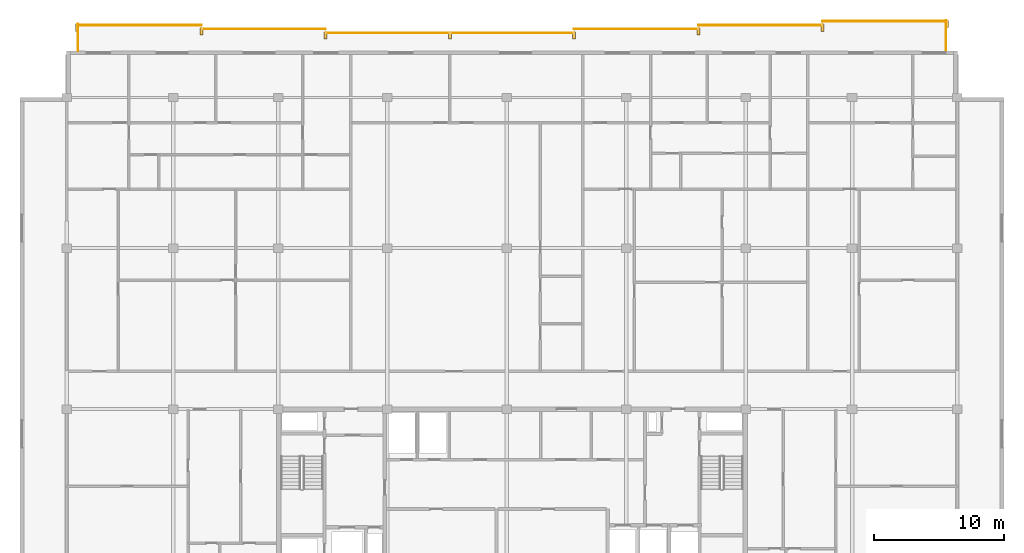
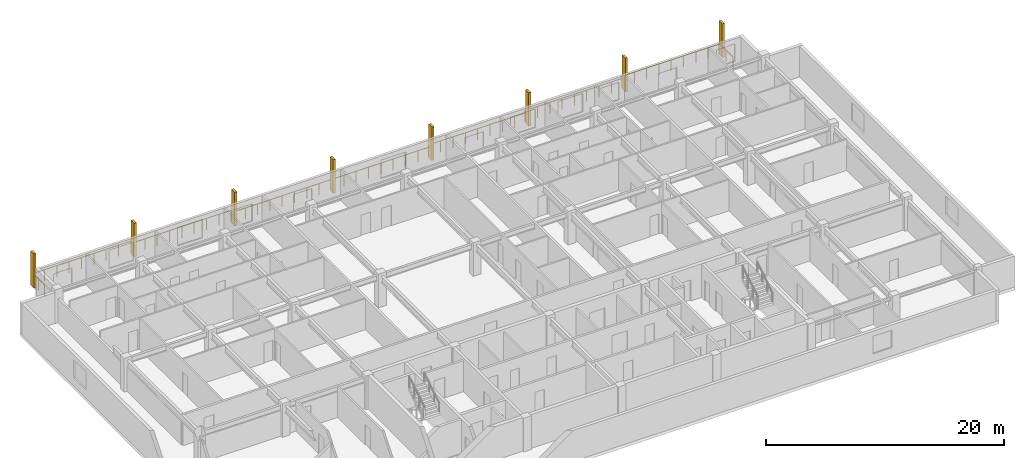
# One storey, part 10 of 10: 8 railings, 8 shading devices.
"""IFC4 building model written with IfcOpenShell, lengths in metres."""

from ifc_helpers import new_model, si_unit, direction, frame, origin, origin_2d, place, context, subcontext, project, spatial, rectangle, circle, extrude, material, type_object, element, save


model = new_model("IFC4")

# Units and contexts
model_context = context("Model", 3, precision=1e-05, world=origin(), true_north=direction((0.0, 1.0)))
body_context = subcontext(model_context, "Body", "Model", "MODEL_VIEW")
ifc_project = project(units=[si_unit("LENGTHUNIT", "METRE"), si_unit("AREAUNIT", "SQUARE_METRE"), si_unit("VOLUMEUNIT", "CUBIC_METRE"), si_unit("PLANEANGLEUNIT", "RADIAN"), si_unit("MASSUNIT", "GRAM", prefix="KILO")], contexts=[model_context])

# Site, building, storey
site_placement = place(None, origin())
site = spatial("IfcSite", under=ifc_project, at=site_placement, CompositionType="ELEMENT")
building_placement = place(site_placement, origin())
building = spatial("IfcBuilding", under=site, at=building_placement, Name="Korimba Cascade Residences", CompositionType="ELEMENT")
storey_placement = place(building_placement, frame((0.0, 0.0, 228.64990234375)))
storey = spatial("IfcBuildingStorey", under=building, at=storey_placement, Name="L66", CompositionType="ELEMENT", Elevation=228.64990234375)

# Railings
ifc_material_1 = material(Name="Laminated Glass and Bronze Balustrade", Category="glass")
railing_type = type_object("IfcRailingType", Name="RLG-LOG-1150", PredefinedType="BALUSTRADE", material=ifc_material_1)
railing_1_placement = place(storey_placement, frame((127.52001953125, 94.800048828125, 0.0)))
element("IfcRailing", 1, at=railing_1_placement, inside=storey, type_object=railing_type, Name="L66 Perimeter Guardrail RLG-L66-T1-LOG-01", PredefinedType="BALUSTRADE", context=body_context, shape_type="SweptSolid", body=[
    extrude(circle(Radius=0.02392578125, at=origin_2d()), frame((0.0, 0.0, 1.1259765625), z_axis=(0.0, 1.0, 0.0), x_axis=(-1.0, 0.0, 0.0)), (0.0, 0.0, 1.0), 2.349853515625),
    extrude(circle(Radius=0.02099609375, at=origin_2d()), origin(), (0.0, 0.0, 1.0), 1.101806640625),
    extrude(circle(Radius=0.02099609375, at=origin_2d()), frame((0.0, 1.1748046875, 0.0)), (0.0, 0.0, 1.0), 1.101806640625),
    extrude(circle(Radius=0.02099609375, at=origin_2d()), frame((0.0, 2.349853515625, 0.0)), (0.0, 0.0, 1.0), 1.101806640625),
])
for number, where, name in (
    (2, (127.60009765625, 97.070068359375, 0.0), "L66 Perimeter Guardrail RLG-L66-T1-LOG-02"),
    (3, (118.028564453125, 96.77001953125, 0.0), "L66 Perimeter Guardrail RLG-L66-T1-LOG-03"),
):
    element("IfcRailing", number, at=place(storey_placement, frame(where)), inside=storey, type_object=railing_type, Name=name, PredefinedType="BALUSTRADE", context=body_context, shape_type="SweptSolid", body=[
        extrude(circle(Radius=0.02392578125, at=origin_2d()), frame((0.0, 0.0, 1.1259765625), z_axis=(-1.0, 0.0, 0.0), x_axis=(0.0, -1.0, 0.0)), (0.0, 0.0, 1.0), 9.571533203125),
        extrude(circle(Radius=0.02099609375, at=origin_2d()), origin(), (0.0, 0.0, 1.0), 1.101806640625),
        extrude(circle(Radius=0.02099609375, at=origin_2d()), frame((-1.196533203125, 0.0, 0.0)), (0.0, 0.0, 1.0), 1.101806640625),
        extrude(circle(Radius=0.02099609375, at=origin_2d()), frame((-2.392822265625, 0.0, 0.0)), (0.0, 0.0, 1.0), 1.101806640625),
        extrude(circle(Radius=0.02099609375, at=origin_2d()), frame((-3.58935546875, 0.0, 0.0)), (0.0, 0.0, 1.0), 1.101806640625),
        extrude(circle(Radius=0.02099609375, at=origin_2d()), frame((-4.78564453125, 0.0, 0.0)), (0.0, 0.0, 1.0), 1.101806640625),
        extrude(circle(Radius=0.02099609375, at=origin_2d()), frame((-5.982177734375, 0.0, 0.0)), (0.0, 0.0, 1.0), 1.101806640625),
        extrude(circle(Radius=0.02099609375, at=origin_2d()), frame((-7.1787109375, 0.0, 0.0)), (0.0, 0.0, 1.0), 1.101806640625),
        extrude(circle(Radius=0.02099609375, at=origin_2d()), frame((-8.375, 0.0, 0.0)), (0.0, 0.0, 1.0), 1.101806640625),
        extrude(circle(Radius=0.02099609375, at=origin_2d()), frame((-9.571533203125, 0.0, 0.0)), (0.0, 0.0, 1.0), 1.101806640625),
    ])
railing_2_placement = place(storey_placement, frame((108.45703125, 96.469970703125, 0.0)))
element("IfcRailing", 4, at=railing_2_placement, inside=storey, type_object=railing_type, Name="L66 Perimeter Guardrail RLG-L66-T1-LOG-04", PredefinedType="BALUSTRADE", context=body_context, shape_type="SweptSolid", body=[
    extrude(circle(Radius=0.02392578125, at=origin_2d()), frame((0.0, 0.0, 1.1259765625), z_axis=(-1.0, 0.0, 0.0), x_axis=(0.0, -1.0, 0.0)), (0.0, 0.0, 1.0), 9.5712890625),
    extrude(circle(Radius=0.02099609375, at=origin_2d()), origin(), (0.0, 0.0, 1.0), 1.101806640625),
    extrude(circle(Radius=0.02099609375, at=origin_2d()), frame((-1.1962890625, 0.0, 0.0)), (0.0, 0.0, 1.0), 1.101806640625),
    extrude(circle(Radius=0.02099609375, at=origin_2d()), frame((-2.392822265625, 0.0, 0.0)), (0.0, 0.0, 1.0), 1.101806640625),
    extrude(circle(Radius=0.02099609375, at=origin_2d()), frame((-3.58935546875, 0.0, 0.0)), (0.0, 0.0, 1.0), 1.101806640625),
    extrude(circle(Radius=0.02099609375, at=origin_2d()), frame((-4.78564453125, 0.0, 0.0)), (0.0, 0.0, 1.0), 1.101806640625),
    extrude(circle(Radius=0.02099609375, at=origin_2d()), frame((-5.98193359375, 0.0, 0.0)), (0.0, 0.0, 1.0), 1.101806640625),
    extrude(circle(Radius=0.02099609375, at=origin_2d()), frame((-7.178466796875, 0.0, 0.0)), (0.0, 0.0, 1.0), 1.101806640625),
    extrude(circle(Radius=0.02099609375, at=origin_2d()), frame((-8.375, 0.0, 0.0)), (0.0, 0.0, 1.0), 1.101806640625),
    extrude(circle(Radius=0.02099609375, at=origin_2d()), frame((-9.5712890625, 0.0, 0.0)), (0.0, 0.0, 1.0), 1.101806640625),
])
railing_3_placement = place(storey_placement, frame((98.8857421875, 96.169921875, 0.0)))
element("IfcRailing", 5, at=railing_3_placement, inside=storey, type_object=railing_type, Name="L66 Perimeter Guardrail RLG-L66-T1-LOG-05", PredefinedType="BALUSTRADE", context=body_context, shape_type="SweptSolid", body=[
    extrude(circle(Radius=0.02392578125, at=origin_2d()), frame((0.0, 0.0, 1.1259765625), z_axis=(-1.0, 0.0, 0.0), x_axis=(0.0, -1.0, 0.0)), (0.0, 0.0, 1.0), 19.142822265625),
    extrude(circle(Radius=0.02099609375, at=origin_2d()), origin(), (0.0, 0.0, 1.0), 1.101806640625),
    extrude(circle(Radius=0.02099609375, at=origin_2d()), frame((-1.196533203125, 0.0, 0.0)), (0.0, 0.0, 1.0), 1.101806640625),
    extrude(circle(Radius=0.02099609375, at=origin_2d()), frame((-2.392822265625, 0.0, 0.0)), (0.0, 0.0, 1.0), 1.101806640625),
    extrude(circle(Radius=0.02099609375, at=origin_2d()), frame((-3.58935546875, 0.0, 0.0)), (0.0, 0.0, 1.0), 1.101806640625),
    extrude(circle(Radius=0.02099609375, at=origin_2d()), frame((-4.78564453125, 0.0, 0.0)), (0.0, 0.0, 1.0), 1.101806640625),
    extrude(circle(Radius=0.02099609375, at=origin_2d()), frame((-5.982177734375, 0.0, 0.0)), (0.0, 0.0, 1.0), 1.101806640625),
    extrude(circle(Radius=0.02099609375, at=origin_2d()), frame((-7.178466796875, 0.0, 0.0)), (0.0, 0.0, 1.0), 1.101806640625),
    extrude(circle(Radius=0.02099609375, at=origin_2d()), frame((-8.375, 0.0, 0.0)), (0.0, 0.0, 1.0), 1.101806640625),
    extrude(circle(Radius=0.02099609375, at=origin_2d()), frame((-9.5712890625, 0.0, 0.0)), (0.0, 0.0, 1.0), 1.101806640625),
    extrude(circle(Radius=0.02099609375, at=origin_2d()), frame((-10.767822265625, 0.0, 0.0)), (0.0, 0.0, 1.0), 1.101806640625),
    extrude(circle(Radius=0.02099609375, at=origin_2d()), frame((-11.96435546875, 0.0, 0.0)), (0.0, 0.0, 1.0), 1.101806640625),
    extrude(circle(Radius=0.02099609375, at=origin_2d()), frame((-13.16064453125, 0.0, 0.0)), (0.0, 0.0, 1.0), 1.101806640625),
    extrude(circle(Radius=0.02099609375, at=origin_2d()), frame((-14.357177734375, 0.0, 0.0)), (0.0, 0.0, 1.0), 1.101806640625),
    extrude(circle(Radius=0.02099609375, at=origin_2d()), frame((-15.553466796875, 0.0, 0.0)), (0.0, 0.0, 1.0), 1.101806640625),
    extrude(circle(Radius=0.02099609375, at=origin_2d()), frame((-16.75, 0.0, 0.0)), (0.0, 0.0, 1.0), 1.101806640625),
    extrude(circle(Radius=0.02099609375, at=origin_2d()), frame((-17.9462890625, 0.0, 0.0)), (0.0, 0.0, 1.0), 1.101806640625),
    extrude(circle(Radius=0.02099609375, at=origin_2d()), frame((-19.142822265625, 0.0, 0.0)), (0.0, 0.0, 1.0), 1.101806640625),
])
railing_4_placement = place(storey_placement, frame((79.742919921875, 96.469970703125, 0.0)))
element("IfcRailing", 6, at=railing_4_placement, inside=storey, type_object=railing_type, Name="L66 Perimeter Guardrail RLG-L66-T1-LOG-06", PredefinedType="BALUSTRADE", context=body_context, shape_type="SweptSolid", body=[
    extrude(circle(Radius=0.02392578125, at=origin_2d()), frame((0.0, 0.0, 1.1259765625), z_axis=(-1.0, 0.0, 0.0), x_axis=(0.0, -1.0, 0.0)), (0.0, 0.0, 1.0), 9.571533203125),
    extrude(circle(Radius=0.02099609375, at=origin_2d()), origin(), (0.0, 0.0, 1.0), 1.101806640625),
    extrude(circle(Radius=0.02099609375, at=origin_2d()), frame((-1.196533203125, 0.0, 0.0)), (0.0, 0.0, 1.0), 1.101806640625),
    extrude(circle(Radius=0.02099609375, at=origin_2d()), frame((-2.392822265625, 0.0, 0.0)), (0.0, 0.0, 1.0), 1.101806640625),
    extrude(circle(Radius=0.02099609375, at=origin_2d()), frame((-3.58935546875, 0.0, 0.0)), (0.0, 0.0, 1.0), 1.101806640625),
    extrude(circle(Radius=0.02099609375, at=origin_2d()), frame((-4.78564453125, 0.0, 0.0)), (0.0, 0.0, 1.0), 1.101806640625),
    extrude(circle(Radius=0.02099609375, at=origin_2d()), frame((-5.982177734375, 0.0, 0.0)), (0.0, 0.0, 1.0), 1.101806640625),
    extrude(circle(Radius=0.02099609375, at=origin_2d()), frame((-7.1787109375, 0.0, 0.0)), (0.0, 0.0, 1.0), 1.101806640625),
    extrude(circle(Radius=0.02099609375, at=origin_2d()), frame((-8.375, 0.0, 0.0)), (0.0, 0.0, 1.0), 1.101806640625),
    extrude(circle(Radius=0.02099609375, at=origin_2d()), frame((-9.571533203125, 0.0, 0.0)), (0.0, 0.0, 1.0), 1.101806640625),
])
railing_5_placement = place(storey_placement, frame((70.17138671875, 96.77001953125, 0.0)))
element("IfcRailing", 7, at=railing_5_placement, inside=storey, type_object=railing_type, Name="L66 Perimeter Guardrail RLG-L66-T1-LOG-07", PredefinedType="BALUSTRADE", context=body_context, shape_type="SweptSolid", body=[
    extrude(circle(Radius=0.02392578125, at=origin_2d()), frame((0.0, 0.0, 1.1259765625), z_axis=(-1.0, 0.0, 0.0), x_axis=(0.0, -1.0, 0.0)), (0.0, 0.0, 1.0), 9.5712890625),
    extrude(circle(Radius=0.02099609375, at=origin_2d()), origin(), (0.0, 0.0, 1.0), 1.101806640625),
    extrude(circle(Radius=0.02099609375, at=origin_2d()), frame((-1.1962890625, 0.0, 0.0)), (0.0, 0.0, 1.0), 1.101806640625),
    extrude(circle(Radius=0.02099609375, at=origin_2d()), frame((-2.392822265625, 0.0, 0.0)), (0.0, 0.0, 1.0), 1.101806640625),
    extrude(circle(Radius=0.02099609375, at=origin_2d()), frame((-3.58935546875, 0.0, 0.0)), (0.0, 0.0, 1.0), 1.101806640625),
    extrude(circle(Radius=0.02099609375, at=origin_2d()), frame((-4.78564453125, 0.0, 0.0)), (0.0, 0.0, 1.0), 1.101806640625),
    extrude(circle(Radius=0.02099609375, at=origin_2d()), frame((-5.98193359375, 0.0, 0.0)), (0.0, 0.0, 1.0), 1.101806640625),
    extrude(circle(Radius=0.02099609375, at=origin_2d()), frame((-7.178466796875, 0.0, 0.0)), (0.0, 0.0, 1.0), 1.101806640625),
    extrude(circle(Radius=0.02099609375, at=origin_2d()), frame((-8.375, 0.0, 0.0)), (0.0, 0.0, 1.0), 1.101806640625),
    extrude(circle(Radius=0.02099609375, at=origin_2d()), frame((-9.5712890625, 0.0, 0.0)), (0.0, 0.0, 1.0), 1.101806640625),
])
railing_6_placement = place(storey_placement, frame((60.679931640625, 96.85009765625, 0.0)))
element("IfcRailing", 8, at=railing_6_placement, inside=storey, type_object=railing_type, Name="L66 Perimeter Guardrail RLG-L66-T1-LOG-08", PredefinedType="BALUSTRADE", context=body_context, shape_type="SweptSolid", body=[
    extrude(circle(Radius=0.02392578125, at=origin_2d()), frame((0.0, 0.0, 1.1259765625), z_axis=(0.0, -1.0, 0.0), x_axis=(1.0, 0.0, 0.0)), (0.0, 0.0, 1.0), 2.050048828125),
    extrude(circle(Radius=0.02099609375, at=origin_2d()), origin(), (0.0, 0.0, 1.0), 1.101806640625),
    extrude(circle(Radius=0.02099609375, at=origin_2d()), frame((0.0, -1.02490234375, 0.0)), (0.0, 0.0, 1.0), 1.101806640625),
    extrude(circle(Radius=0.02099609375, at=origin_2d()), frame((0.0, -2.050048828125, 0.0)), (0.0, 0.0, 1.0), 1.101806640625),
])

# Shading devices
ifc_material_2 = material(Name="Honed Sandstone Precast Fin", Category="masonry")
shading_device_type = type_object("IfcShadingDeviceType", Name="SHD-FIN-550", PredefinedType="USERDEFINED", material=ifc_material_2)
for number, where, z_axis, x_axis, name in (
    (9, (60.60009765625, 96.574951171875, 0.0), (0.0, 0.0, 1.0), (1.0, 0.0, 0.0), "L66 T1 Warm-Stone Loggia Fin 1"),
    (10, (70.17138671875, 96.27490234375, 0.0), (0.0, 0.0, 1.0), (1.0, 0.0, 0.0), "L66 T1 Warm-Stone Loggia Fin 2"),
    (11, (79.742919921875, 95.97509765625, 0.0), (0.0, 0.0, 1.0), (1.0, 0.0, 0.0), "L66 T1 Warm-Stone Loggia Fin 3"),
    (12, (89.314208984375, 95.97509765625, 0.0), (0.0, 0.0, 1.0), (1.0, 0.0, 0.0), "L66 T1 Warm-Stone Loggia Fin 4"),
    (13, (98.8857421875, 95.97509765625, 0.0), (0.0, 0.0, 1.0), (1.0, 0.0, 0.0), "L66 T1 Warm-Stone Loggia Fin 5"),
    (14, (108.45703125, 96.27490234375, 0.0), (0.0, 0.0, 1.0), (1.0, 0.0, 0.0), "L66 T1 Warm-Stone Loggia Fin 6"),
    (15, (118.028564453125, 96.574951171875, 0.0), (0.0, 0.0, 1.0), (1.0, 0.0, 0.0), "L66 T1 Warm-Stone Loggia Fin 7"),
    (16, (127.60009765625, 96.875, 0.0), (0.0, 0.0, 1.0), (1.0, 0.0, 0.0), "L66 T1 Warm-Stone Loggia Fin 8"),
):
    element("IfcShadingDevice", number, at=place(storey_placement, frame(where, z_axis=z_axis, x_axis=x_axis)), inside=storey, type_object=shading_device_type, Name=name, ObjectType="FIN", PredefinedType="USERDEFINED", context=body_context, shape_type="SweptSolid", body=[
        extrude(rectangle(XDim=0.219970703125, YDim=0.550048828125, at=origin_2d()), origin(), (0.0, 0.0, 1.0), 3.449951171875),
    ])

save(model, "model.ifc")
